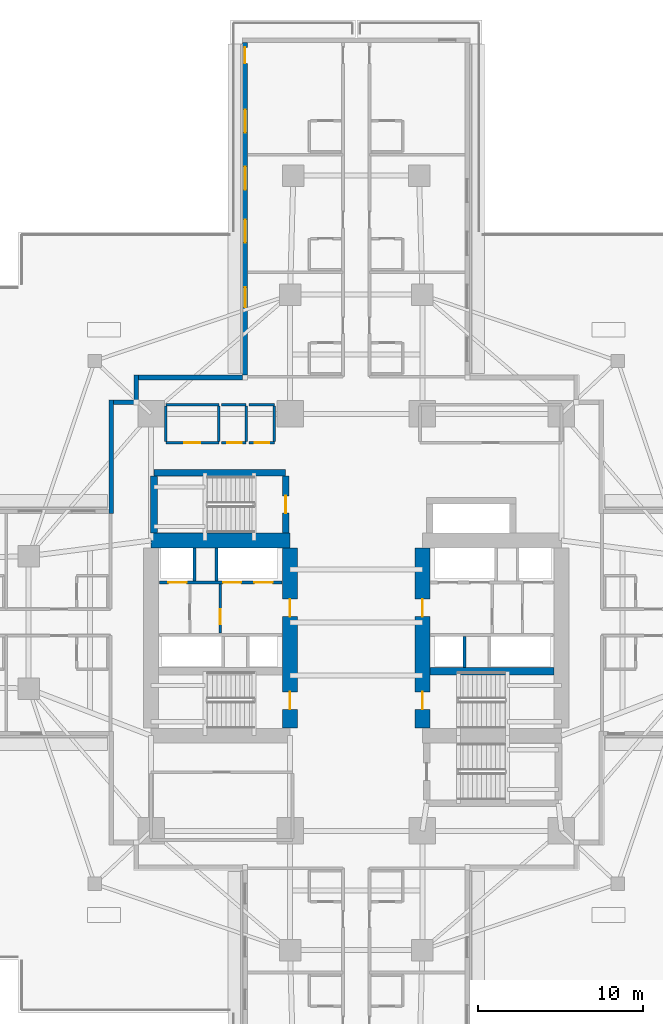
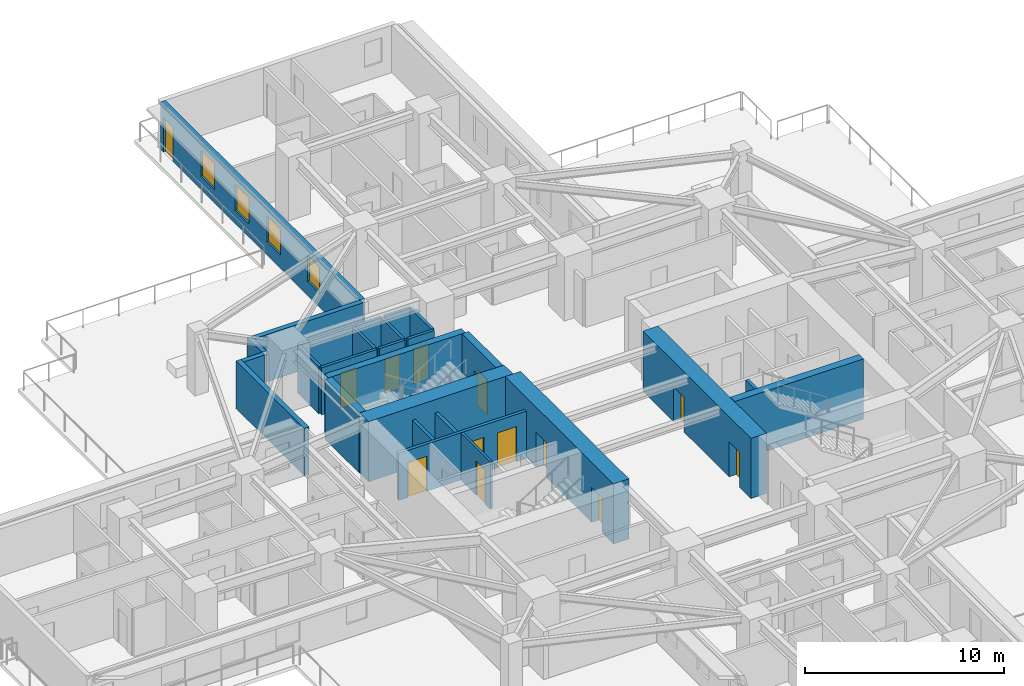
# One storey, part 6 of 15: 27 walls, 13 doors, 4 windows, 17 openings.
"""IFC4 building model written with IfcOpenShell, lengths in metres."""

from ifc_helpers import new_model, si_unit, direction, frame, frame_2d, origin, place, context, subcontext, project, spatial, rectangle, extrude, material, layer, layer_set, type_object, element, fill, save


model = new_model("IFC4")

# Units and contexts
model_context = context("Model", 3, precision=1e-05, world=origin(), true_north=direction((0.0, 1.0)))
body_context = subcontext(model_context, "Body", "Model", "MODEL_VIEW")
ifc_project = project(units=[si_unit("LENGTHUNIT", "METRE"), si_unit("AREAUNIT", "SQUARE_METRE"), si_unit("VOLUMEUNIT", "CUBIC_METRE"), si_unit("PLANEANGLEUNIT", "RADIAN"), si_unit("MASSUNIT", "GRAM", prefix="KILO")], contexts=[model_context])

# Site, building, storey
site_placement = place(None, origin())
site = spatial("IfcSite", under=ifc_project, at=site_placement, CompositionType="ELEMENT")
building_placement = place(site_placement, origin())
building = spatial("IfcBuilding", under=site, at=building_placement, Name="Qingluan Cross Belvedere", CompositionType="ELEMENT")
storey_placement = place(building_placement, frame((0.0, 0.0, 23.699951171875)))
storey = spatial("IfcBuildingStorey", under=building, at=storey_placement, Name="L06", CompositionType="ELEMENT", Elevation=23.699951171875)

# Walls
ifc_material_1 = material(Name="Concrete C50", Category="concrete")
ifc_layer_1 = layer(ifc_material_1, 0.449951171875, Name="CoreShearWall_450")
ifc_layer_set_1 = layer_set([ifc_layer_1], Name="Concrete C50")
wall_type_1 = type_object("IfcWallType", Name="CoreShearWall_450", PredefinedType="SHEAR", material=ifc_layer_set_1)
wall_1_placement = place(storey_placement, frame((4.455078125, -2.9599609375, 0.0), z_axis=(0.0, 0.0, 1.0), x_axis=(1.0, 0.0, 0.0)))
element("IfcWall", 1, at=wall_1_placement, inside=storey, type_object=wall_type_1, Name="Split core E shear wall L06-M", PredefinedType="SHEAR", context=body_context, shape_type="SweptSolid", body=[
    extrude(rectangle(XDim=7.489990234375, YDim=0.449951171875, at=frame_2d((3.7451171875, 0.0))), origin(), (0.0, 0.0, 1.0), 3.699951171875),
])
wall_2_placement = place(storey_placement, frame((-12.219970703125, 9.0400390625, 0.0), z_axis=(0.0, 0.0, 1.0), x_axis=(1.0, 0.0, 0.0)))
element("IfcWall", 2, at=wall_2_placement, inside=storey, type_object=wall_type_1, Name="Stair ST3 structural wall N L06", PredefinedType="SHEAR", context=body_context, shape_type="SweptSolid", body=[
    extrude(rectangle(XDim=7.9599609375, YDim=0.39990234375, at=frame_2d((3.97998046875, 0.0))), origin(), (0.0, 0.0, 1.0), 3.699951171875),
])
wall_3_placement = place(storey_placement, frame((-12.219970703125, 5.405029296875, 0.0), z_axis=(0.0, 0.0, 1.0), x_axis=(0.0, 1.0, 0.0)))
element("IfcWall", 3, at=wall_3_placement, inside=storey, type_object=wall_type_1, Name="Stair ST3 structural wall W L06", PredefinedType="SHEAR", context=body_context, shape_type="SweptSolid", body=[
    extrude(rectangle(XDim=3.429931640625, YDim=0.39990234375, at=frame_2d((1.71484375, 0.0))), origin(), (0.0, 0.0, 1.0), 3.699951171875),
])

# Wall, opening, door
wall_4_placement = place(storey_placement, frame((-4.260009765625, 5.405029296875, 0.0), z_axis=(0.0, 0.0, 1.0), x_axis=(0.0, 1.0, 0.0)))
wall_4 = element("IfcWall", 4, at=wall_4_placement, inside=storey, type_object=wall_type_1, Name="Stair ST3 structural wall E L06", PredefinedType="SHEAR", context=body_context, shape_type="SweptSolid", body=[
    extrude(rectangle(XDim=3.429931640625, YDim=0.39990234375, at=frame_2d((1.71484375, 0.0))), origin(), (0.0, 0.0, 1.0), 3.699951171875),
])
opening_1_placement = place(wall_4_placement, frame((1.195068359375, 0.0, 0.0)))
opening_1 = element("IfcOpeningElement", 5, at=opening_1_placement, cuts=wall_4, Name="Opening FD-B11", PredefinedType="OPENING", context=body_context, shape_type="SweptSolid", body=[
    extrude(rectangle(XDim=1.050048828125, YDim=2.14990234375, at=frame_2d((0.52490234375, 1.074951171875))), frame((0.0, 0.2099609375, 0.0), z_axis=(0.0, -1.0, 0.0), x_axis=(1.0, 0.0, 0.0)), (0.0, 0.0, 1.0), 0.419921875),
])
ifc_material_2 = material(Name="Steel Class B smoke-seal fire door", Category="steel")
door_type_1 = type_object("IfcDoorType", Name="StairLobbyFireDoor_FDB", OperationType="NOTDEFINED", PredefinedType="DOOR", material=ifc_material_2)
door_1_placement = place(opening_1_placement, origin())
door_1 = element("IfcDoor", 6, at=door_1_placement, inside=storey, type_object=door_type_1, Name="Smoke-proof stair ST3 fire door L06", OperationType="SINGLE_SWING_RIGHT", OverallHeight=2.14990234375, OverallWidth=1.050048828125, PredefinedType="DOOR", context=body_context, shape_type="SweptSolid", body=[
    extrude(rectangle(XDim=1.050048828125, YDim=2.14990234375, at=frame_2d((0.52490234375, 1.074951171875))), frame((0.0, 0.02490234375, 0.0), z_axis=(0.0, -1.0, 0.0), x_axis=(1.0, 0.0, 0.0)), (0.0, 0.0, 1.0), 0.050048828125),
])
fill(opening_1, door_1)

# Wall
ifc_material_3 = material(Name="Concrete C70", Category="concrete")
ifc_layer_2 = layer(ifc_material_3, 0.89990234375, Name="CoreShearWall_900")
ifc_layer_set_2 = layer_set([ifc_layer_2], Name="Concrete C70")
wall_type_2 = type_object("IfcWallType", Name="CoreShearWall_900", PredefinedType="SHEAR", material=ifc_layer_set_2)
wall_5_placement = place(storey_placement, frame((-12.39990234375, 4.949951171875, 0.0), z_axis=(0.0, 0.0, 1.0), x_axis=(1.0, 0.0, 0.0)))
element("IfcWall", 7, at=wall_5_placement, inside=storey, type_object=wall_type_2, Name="Split core W shear wall L06-N", PredefinedType="SHEAR", context=body_context, shape_type="SweptSolid", body=[
    extrude(rectangle(XDim=8.39990234375, YDim=0.89990234375, at=frame_2d((4.199951171875, 0.0))), origin(), (0.0, 0.0, 1.0), 3.699951171875),
])

# Wall, openings, doors
wall_6_placement = place(storey_placement, frame((-4.0, -6.39501953125, 0.0), z_axis=(0.0, 0.0, 1.0), x_axis=(0.0, 1.0, 0.0)))
wall_6 = element("IfcWall", 8, at=wall_6_placement, inside=storey, type_object=wall_type_2, Name="Split core W shear wall L06-E", PredefinedType="SHEAR", context=body_context, shape_type="SweptSolid", body=[
    extrude(rectangle(XDim=10.89013671875, YDim=0.89990234375, at=frame_2d((5.445068359375, 0.0))), origin(), (0.0, 0.0, 1.0), 3.699951171875),
])
opening_2_placement = place(wall_6_placement, frame((1.14501953125, 0.0, 0.0)))
opening_2 = element("IfcOpeningElement", 9, at=opening_2_placement, cuts=wall_6, Name="Opening FD-B11", PredefinedType="OPENING", context=body_context, shape_type="SweptSolid", body=[
    extrude(rectangle(XDim=1.050048828125, YDim=2.14990234375, at=frame_2d((0.52490234375, 1.074951171875))), frame((0.0, 0.4599609375, 0.0), z_axis=(0.0, -1.0, 0.0), x_axis=(1.0, 0.0, 0.0)), (0.0, 0.0, 1.0), 0.919921875),
])
opening_3_placement = place(wall_6_placement, frame((6.7451171875, 0.0, 0.0)))
opening_3 = element("IfcOpeningElement", 10, at=opening_3_placement, cuts=wall_6, Name="Opening FD-B11", PredefinedType="OPENING", context=body_context, shape_type="SweptSolid", body=[
    extrude(rectangle(XDim=1.050048828125, YDim=2.14990234375, at=frame_2d((0.52490234375, 1.074951171875))), frame((0.0, 0.4599609375, 0.0), z_axis=(0.0, -1.0, 0.0), x_axis=(1.0, 0.0, 0.0)), (0.0, 0.0, 1.0), 0.919921875),
])
door_2_placement = place(opening_2_placement, origin())
door_2 = element("IfcDoor", 11, at=door_2_placement, inside=storey, type_object=door_type_1, Name="Smoke-proof stair ST1 fire door L06", OperationType="SINGLE_SWING_RIGHT", OverallHeight=2.14990234375, OverallWidth=1.050048828125, PredefinedType="DOOR", context=body_context, shape_type="SweptSolid", body=[
    extrude(rectangle(XDim=1.050048828125, YDim=2.14990234375, at=frame_2d((0.52490234375, 1.074951171875))), frame((0.0, 0.02490234375, 0.0), z_axis=(0.0, -1.0, 0.0), x_axis=(1.0, 0.0, 0.0)), (0.0, 0.0, 1.0), 0.050048828125),
])
fill(opening_2, door_2)
door_3_placement = place(opening_3_placement, origin())
door_3 = element("IfcDoor", 12, at=door_3_placement, inside=storey, type_object=door_type_1, Name="Firefighting lobby West fire door L06", OperationType="SINGLE_SWING_RIGHT", OverallHeight=2.14990234375, OverallWidth=1.050048828125, PredefinedType="DOOR", context=body_context, shape_type="SweptSolid", body=[
    extrude(rectangle(XDim=1.050048828125, YDim=2.14990234375, at=frame_2d((0.52490234375, 1.074951171875))), frame((0.0, 0.02490234375, 0.0), z_axis=(0.0, -1.0, 0.0), x_axis=(1.0, 0.0, 0.0)), (0.0, 0.0, 1.0), 0.050048828125),
])
fill(opening_3, door_3)

wall_7_placement = place(storey_placement, frame((4.0, -6.39501953125, 0.0), z_axis=(0.0, 0.0, 1.0), x_axis=(0.0, 1.0, 0.0)))
wall_7 = element("IfcWall", 13, at=wall_7_placement, inside=storey, type_object=wall_type_2, Name="Split core E shear wall L06-W", PredefinedType="SHEAR", context=body_context, shape_type="SweptSolid", body=[
    extrude(rectangle(XDim=10.89013671875, YDim=0.89990234375, at=frame_2d((5.445068359375, 0.0))), origin(), (0.0, 0.0, 1.0), 3.699951171875),
])
opening_4_placement = place(wall_7_placement, frame((1.14501953125, 0.0, 0.0)))
opening_4 = element("IfcOpeningElement", 14, at=opening_4_placement, cuts=wall_7, Name="Opening FD-B11", PredefinedType="OPENING", context=body_context, shape_type="SweptSolid", body=[
    extrude(rectangle(XDim=1.050048828125, YDim=2.14990234375, at=frame_2d((0.52490234375, 1.074951171875))), frame((0.0, 0.4599609375, 0.0), z_axis=(0.0, -1.0, 0.0), x_axis=(1.0, 0.0, 0.0)), (0.0, 0.0, 1.0), 0.919921875),
])
opening_5_placement = place(wall_7_placement, frame((6.7451171875, 0.0, 0.0)))
opening_5 = element("IfcOpeningElement", 15, at=opening_5_placement, cuts=wall_7, Name="Opening FD-B11", PredefinedType="OPENING", context=body_context, shape_type="SweptSolid", body=[
    extrude(rectangle(XDim=1.050048828125, YDim=2.14990234375, at=frame_2d((0.52490234375, 1.074951171875))), frame((0.0, 0.4599609375, 0.0), z_axis=(0.0, -1.0, 0.0), x_axis=(1.0, 0.0, 0.0)), (0.0, 0.0, 1.0), 0.919921875),
])
door_4_placement = place(opening_4_placement, origin())
door_4 = element("IfcDoor", 16, at=door_4_placement, inside=storey, type_object=door_type_1, Name="Smoke-proof stair ST2 fire door L06", OperationType="SINGLE_SWING_LEFT", OverallHeight=2.14990234375, OverallWidth=1.050048828125, PredefinedType="DOOR", context=body_context, shape_type="SweptSolid", body=[
    extrude(rectangle(XDim=1.050048828125, YDim=2.14990234375, at=frame_2d((0.52490234375, 1.074951171875))), frame((0.0, 0.02490234375, 0.0), z_axis=(0.0, -1.0, 0.0), x_axis=(1.0, 0.0, 0.0)), (0.0, 0.0, 1.0), 0.050048828125),
])
fill(opening_4, door_4)
door_5_placement = place(opening_5_placement, origin())
door_5 = element("IfcDoor", 17, at=door_5_placement, inside=storey, type_object=door_type_1, Name="Firefighting lobby East fire door L06", OperationType="SINGLE_SWING_LEFT", OverallHeight=2.14990234375, OverallWidth=1.050048828125, PredefinedType="DOOR", context=body_context, shape_type="SweptSolid", body=[
    extrude(rectangle(XDim=1.050048828125, YDim=2.14990234375, at=frame_2d((0.52490234375, 1.074951171875))), frame((0.0, 0.02490234375, 0.0), z_axis=(0.0, -1.0, 0.0), x_axis=(1.0, 0.0, 0.0)), (0.0, 0.0, 1.0), 0.050048828125),
])
fill(opening_5, door_5)

# Wall, opening, door
ifc_material_4 = material(Name="Gypsum plasterboard on steel stud acoustic partition", Category="steel")
ifc_layer_3 = layer(ifc_material_4, 0.159912109375, Name="CorridorPartition_160")
ifc_layer_set_3 = layer_set([ifc_layer_3], Name="Gypsum plasterboard on steel stud acoustic partition")
wall_type_3 = type_object("IfcWallType", Name="CorridorPartition_160", PredefinedType="PARTITIONING", material=ifc_layer_set_3)
wall_8_placement = place(storey_placement, frame((-11.5, 10.85009765625, 0.0), z_axis=(0.0, 0.0, 1.0), x_axis=(1.0, 0.0, 0.0)))
wall_8 = element("IfcWall", 18, at=wall_8_placement, inside=storey, type_object=wall_type_3, Name="Partition L06:q_nw_occ:S", PredefinedType="PARTITIONING", context=body_context, shape_type="SweptSolid", body=[
    extrude(rectangle(XDim=3.199951171875, YDim=0.159912109375, at=frame_2d((1.60009765625, 0.0))), origin(), (0.0, 0.0, 1.0), 2.900146484375),
])
opening_6_placement = place(wall_8_placement, frame((1.1201171875, 0.0, 0.0)))
opening_6 = element("IfcOpeningElement", 19, at=opening_6_placement, cuts=wall_8, Name="Opening GD-10", PredefinedType="OPENING", context=body_context, shape_type="SweptSolid", body=[
    extrude(rectangle(XDim=0.9599609375, YDim=2.14990234375, at=frame_2d((0.47998046875, 1.074951171875))), frame((0.0, 0.08984375, 0.0), z_axis=(0.0, -1.0, 0.0), x_axis=(1.0, 0.0, 0.0)), (0.0, 0.0, 1.0), 0.179931640625),
])
ifc_material_5 = material(Name="Timber oak fire-rated acoustic guestroom door", Category="wood")
door_type_2 = type_object("IfcDoorType", Name="GuestEntryDoor_FD60", OperationType="NOTDEFINED", PredefinedType="DOOR", material=ifc_material_5)
door_6_placement = place(opening_6_placement, origin())
door_6 = element("IfcDoor", 20, at=door_6_placement, inside=storey, type_object=door_type_2, Name="Northwest corner reading salon L06 door", OperationType="SINGLE_SWING_RIGHT", OverallHeight=2.14990234375, OverallWidth=0.9599609375, PredefinedType="DOOR", context=body_context, shape_type="SweptSolid", body=[
    extrude(rectangle(XDim=0.9599609375, YDim=2.14990234375, at=frame_2d((0.47998046875, 1.074951171875))), frame((0.0, 0.02490234375, 0.0), z_axis=(0.0, -1.0, 0.0), x_axis=(1.0, 0.0, 0.0)), (0.0, 0.0, 1.0), 0.050048828125),
])
fill(opening_6, door_6)

# Walls
wall_9_placement = place(storey_placement, frame((-11.5, 13.14990234375, 0.0), z_axis=(0.0, 0.0, 1.0), x_axis=(1.0, 0.0, 0.0)))
element("IfcWall", 21, at=wall_9_placement, inside=storey, type_object=wall_type_3, Name="Partition L06:q_nw_occ:N", PredefinedType="PARTITIONING", context=body_context, shape_type="SweptSolid", body=[
    extrude(rectangle(XDim=3.199951171875, YDim=0.159912109375, at=frame_2d((1.60009765625, 0.0))), origin(), (0.0, 0.0, 1.0), 2.900146484375),
])
for number, where, z_axis, x_axis, name in (
    (22, (-11.5, 10.93505859375, 0.0), (0.0, 0.0, 1.0), (0.0, 1.0, 0.0), "Partition L06:q_nw_occ:W"),
    (23, (-8.300048828125, 10.93505859375, 0.0), (0.0, 0.0, 1.0), (0.0, 1.0, 0.0), "Partition L06:q_nw_occ:E"),
):
    element("IfcWall", number, at=place(storey_placement, frame(where, z_axis=z_axis, x_axis=x_axis)), inside=storey, type_object=wall_type_3, Name=name, PredefinedType="PARTITIONING", context=body_context, shape_type="SweptSolid", body=[
        extrude(rectangle(XDim=2.1298828125, YDim=0.159912109375, at=frame_2d((1.06494140625, 0.0))), origin(), (0.0, 0.0, 1.0), 2.900146484375),
    ])

# Wall, opening, door
wall_10_placement = place(storey_placement, frame((-8.139892578125, 10.85009765625, 0.0), z_axis=(0.0, 0.0, 1.0), x_axis=(1.0, 0.0, 0.0)))
wall_10 = element("IfcWall", 24, at=wall_10_placement, inside=storey, type_object=wall_type_3, Name="Partition L06:hk_linen:S", PredefinedType="PARTITIONING", context=body_context, shape_type="SweptSolid", body=[
    extrude(rectangle(XDim=1.489990234375, YDim=0.159912109375, at=frame_2d((0.7451171875, 0.0))), origin(), (0.0, 0.0, 1.0), 2.900146484375),
])
opening_7_placement = place(wall_10_placement, frame((0.35009765625, 0.0, 0.0)))
opening_7 = element("IfcOpeningElement", 25, at=opening_7_placement, cuts=wall_10, Name="Opening FD-B10", PredefinedType="OPENING", context=body_context, shape_type="SweptSolid", body=[
    extrude(rectangle(XDim=0.8798828125, YDim=2.10009765625, at=frame_2d((0.43994140625, 1.050048828125))), frame((0.0, 0.08984375, 0.0), z_axis=(0.0, -1.0, 0.0), x_axis=(1.0, 0.0, 0.0)), (0.0, 0.0, 1.0), 0.179931640625),
])
ifc_material_6 = material(Name="Steel Class B service fire door", Category="steel")
door_type_3 = type_object("IfcDoorType", Name="RiserServiceFireDoor_FDB", OperationType="NOTDEFINED", PredefinedType="DOOR", material=ifc_material_6)
door_7_placement = place(opening_7_placement, origin())
door_7 = element("IfcDoor", 26, at=door_7_placement, inside=storey, type_object=door_type_3, Name="Housekeeping and linen store L06 door", OperationType="SINGLE_SWING_LEFT", OverallHeight=2.10009765625, OverallWidth=0.8798828125, PredefinedType="DOOR", context=body_context, shape_type="SweptSolid", body=[
    extrude(rectangle(XDim=0.8798828125, YDim=2.10009765625, at=frame_2d((0.43994140625, 1.050048828125))), frame((0.0, 0.02490234375, 0.0), z_axis=(0.0, -1.0, 0.0), x_axis=(1.0, 0.0, 0.0)), (0.0, 0.0, 1.0), 0.050048828125),
])
fill(opening_7, door_7)

# Walls
wall_11_placement = place(storey_placement, frame((-8.139892578125, 13.14990234375, 0.0), z_axis=(0.0, 0.0, 1.0), x_axis=(1.0, 0.0, 0.0)))
element("IfcWall", 27, at=wall_11_placement, inside=storey, type_object=wall_type_3, Name="Partition L06:hk_linen:N", PredefinedType="PARTITIONING", context=body_context, shape_type="SweptSolid", body=[
    extrude(rectangle(XDim=1.489990234375, YDim=0.159912109375, at=frame_2d((0.7451171875, 0.0))), origin(), (0.0, 0.0, 1.0), 2.900146484375),
])
wall_12_placement = place(storey_placement, frame((-6.64990234375, 10.93505859375, 0.0), z_axis=(0.0, 0.0, 1.0), x_axis=(0.0, 1.0, 0.0)))
element("IfcWall", 28, at=wall_12_placement, inside=storey, type_object=wall_type_3, Name="Partition L06:hk_linen:E", PredefinedType="PARTITIONING", context=body_context, shape_type="SweptSolid", body=[
    extrude(rectangle(XDim=2.1298828125, YDim=0.159912109375, at=frame_2d((1.06494140625, 0.0))), origin(), (0.0, 0.0, 1.0), 2.900146484375),
])

# Wall, opening, door
wall_13_placement = place(storey_placement, frame((-6.489990234375, 10.85009765625, 0.0), z_axis=(0.0, 0.0, 1.0), x_axis=(1.0, 0.0, 0.0)))
wall_13 = element("IfcWall", 29, at=wall_13_placement, inside=storey, type_object=wall_type_3, Name="Partition L06:floor_acc_wc:S", PredefinedType="PARTITIONING", context=body_context, shape_type="SweptSolid", body=[
    extrude(rectangle(XDim=1.5400390625, YDim=0.159912109375, at=frame_2d((0.77001953125, 0.0))), origin(), (0.0, 0.0, 1.0), 2.900146484375),
])
opening_8_placement = place(wall_13_placement, frame((0.35009765625, 0.0, 0.0)))
opening_8 = element("IfcOpeningElement", 30, at=opening_8_placement, cuts=wall_13, Name="Opening BD-08", PredefinedType="OPENING", context=body_context, shape_type="SweptSolid", body=[
    extrude(rectangle(XDim=0.8798828125, YDim=2.14990234375, at=frame_2d((0.43994140625, 1.074951171875))), frame((0.0, 0.08984375, 0.0), z_axis=(0.0, -1.0, 0.0), x_axis=(1.0, 0.0, 0.0)), (0.0, 0.0, 1.0), 0.179931640625),
])
ifc_material_7 = material(Name="Moisture-sealed timber accessible WC door", Category="wood")
door_type_4 = type_object("IfcDoorType", Name="AccessibleWCDoor_880", OperationType="NOTDEFINED", PredefinedType="DOOR", material=ifc_material_7)
door_8_placement = place(opening_8_placement, origin())
door_8 = element("IfcDoor", 31, at=door_8_placement, inside=storey, type_object=door_type_4, Name="Accessible guest washroom L06 door", OperationType="SINGLE_SWING_RIGHT", OverallHeight=2.14990234375, OverallWidth=0.8798828125, PredefinedType="DOOR", context=body_context, shape_type="SweptSolid", body=[
    extrude(rectangle(XDim=0.8798828125, YDim=2.14990234375, at=frame_2d((0.43994140625, 1.074951171875))), frame((0.0, 0.02490234375, 0.0), z_axis=(0.0, -1.0, 0.0), x_axis=(1.0, 0.0, 0.0)), (0.0, 0.0, 1.0), 0.050048828125),
])
fill(opening_8, door_8)

# Walls
wall_14_placement = place(storey_placement, frame((-6.489990234375, 13.14990234375, 0.0), z_axis=(0.0, 0.0, 1.0), x_axis=(1.0, 0.0, 0.0)))
element("IfcWall", 32, at=wall_14_placement, inside=storey, type_object=wall_type_3, Name="Partition L06:floor_acc_wc:N", PredefinedType="PARTITIONING", context=body_context, shape_type="SweptSolid", body=[
    extrude(rectangle(XDim=1.5400390625, YDim=0.159912109375, at=frame_2d((0.77001953125, 0.0))), origin(), (0.0, 0.0, 1.0), 2.900146484375),
])
wall_15_placement = place(storey_placement, frame((-4.949951171875, 10.93505859375, 0.0), z_axis=(0.0, 0.0, 1.0), x_axis=(0.0, 1.0, 0.0)))
element("IfcWall", 33, at=wall_15_placement, inside=storey, type_object=wall_type_3, Name="Partition L06:floor_acc_wc:E", PredefinedType="PARTITIONING", context=body_context, shape_type="SweptSolid", body=[
    extrude(rectangle(XDim=2.1298828125, YDim=0.159912109375, at=frame_2d((1.06494140625, 0.0))), origin(), (0.0, 0.0, 1.0), 2.900146484375),
])

# Wall, openings, door, windows
ifc_material_8 = material(Name="Precast concrete C45", Category="concrete")
ifc_layer_4 = layer(ifc_material_8, 0.280029296875, Name="PrecastFacadeWall_280")
ifc_layer_set_4 = layer_set([ifc_layer_4], Name="Precast concrete C45")
wall_type_4 = type_object("IfcWallType", Name="PrecastFacadeWall_280", PredefinedType="STANDARD", material=ifc_layer_set_4)
wall_16_placement = place(storey_placement, frame((-6.719970703125, 35.0400390625, 0.0), z_axis=(0.0, 0.0, 1.0), x_axis=(0.0, -1.0, 0.0)))
wall_16 = element("IfcWall", 34, at=wall_16_placement, inside=storey, type_object=wall_type_4, Name="Facade wall L06-NB", PredefinedType="STANDARD", context=body_context, shape_type="SweptSolid", body=[
    extrude(rectangle(XDim=20.10009765625, YDim=0.280029296875, at=frame_2d((10.050048828125, 0.0))), origin(), (0.0, 0.0, 1.0), 2.91015625),
])
opening_9_placement = place(wall_16_placement, frame((4.050048828125, 0.0, 0.800048828125)))
opening_9 = element("IfcOpeningElement", 35, at=opening_9_placement, cuts=wall_16, Name="Opening W-01", PredefinedType="OPENING", context=body_context, shape_type="SweptSolid", body=[
    extrude(rectangle(XDim=1.39990234375, YDim=1.60009765625, at=frame_2d((0.699951171875, 0.800048828125))), frame((0.0, 0.14990234375, 0.0), z_axis=(0.0, -1.0, 0.0), x_axis=(1.0, 0.0, 0.0)), (0.0, 0.0, 1.0), 0.300048828125),
])
opening_10_placement = place(wall_16_placement, frame((7.5, 0.0, 0.800048828125)))
opening_10 = element("IfcOpeningElement", 36, at=opening_10_placement, cuts=wall_16, Name="Opening W-01", PredefinedType="OPENING", context=body_context, shape_type="SweptSolid", body=[
    extrude(rectangle(XDim=1.39990234375, YDim=1.60009765625, at=frame_2d((0.699951171875, 0.800048828125))), frame((0.0, 0.14990234375, 0.0), z_axis=(0.0, -1.0, 0.0), x_axis=(1.0, 0.0, 0.0)), (0.0, 0.0, 1.0), 0.300048828125),
])
opening_11_placement = place(wall_16_placement, frame((10.699951171875, 0.0, 0.800048828125)))
opening_11 = element("IfcOpeningElement", 37, at=opening_11_placement, cuts=wall_16, Name="Opening W-01", PredefinedType="OPENING", context=body_context, shape_type="SweptSolid", body=[
    extrude(rectangle(XDim=1.39990234375, YDim=1.60009765625, at=frame_2d((0.699951171875, 0.800048828125))), frame((0.0, 0.14990234375, 0.0), z_axis=(0.0, -1.0, 0.0), x_axis=(1.0, 0.0, 0.0)), (0.0, 0.0, 1.0), 0.300048828125),
])
opening_12_placement = place(wall_16_placement, frame((0.300048828125, 0.0, 0.0)))
opening_12 = element("IfcOpeningElement", 38, at=opening_12_placement, cuts=wall_16, Name="Opening TD-10", PredefinedType="OPENING", context=body_context, shape_type="SweptSolid", body=[
    extrude(rectangle(XDim=0.9599609375, YDim=2.10009765625, at=frame_2d((0.47998046875, 1.050048828125))), frame((0.0, 0.14990234375, 0.0), z_axis=(0.0, -1.0, 0.0), x_axis=(1.0, 0.0, 0.0)), (0.0, 0.0, 1.0), 0.300048828125),
])
opening_13_placement = place(wall_16_placement, frame((14.799072265625, 0.0, 0.85009765625)))
opening_13 = element("IfcOpeningElement", 39, at=opening_13_placement, cuts=wall_16, Name="Opening W-02", PredefinedType="OPENING", context=body_context, shape_type="SweptSolid", body=[
    extrude(rectangle(XDim=1.199951171875, YDim=1.60009765625, at=frame_2d((0.60009765625, 0.800048828125))), frame((0.0, 0.14990234375, 0.0), z_axis=(0.0, -1.0, 0.0), x_axis=(1.0, 0.0, 0.0)), (0.0, 0.0, 1.0), 0.300048828125),
])
ifc_material_9 = material(Name="Thermally broken aluminium and Low-E glass", Category="aluminium")
door_type_5 = type_object("IfcDoorType", Name="SetbackTerraceDoor_096", OperationType="NOTDEFINED", PredefinedType="DOOR", material=ifc_material_9)
door_9_placement = place(opening_12_placement, origin())
door_9 = element("IfcDoor", 40, at=door_9_placement, inside=storey, type_object=door_type_5, Name="Outdoor terrace access door L06-cas2", OperationType="SINGLE_SWING_LEFT", OverallHeight=2.10009765625, OverallWidth=0.9599609375, PredefinedType="DOOR", context=body_context, shape_type="SweptSolid", body=[
    extrude(rectangle(XDim=0.9599609375, YDim=2.10009765625, at=frame_2d((0.47998046875, 1.050048828125))), frame((0.0, 0.02490234375, 0.0), z_axis=(0.0, -1.0, 0.0), x_axis=(1.0, 0.0, 0.0)), (0.0, 0.0, 1.0), 0.050048828125),
])
fill(opening_12, door_9)
ifc_material_10 = material(Name="Thermally broken triple Low-E glass in aluminium frame", Category="aluminium")
window_type_1 = type_object("IfcWindowType", Name="TriRibbonWin_1200x1600", PartitioningType="SINGLE_PANEL", PredefinedType="WINDOW", material=ifc_material_10)
window_1_placement = place(opening_13_placement, origin())
window_1 = element("IfcWindow", 41, at=window_1_placement, inside=storey, type_object=window_type_1, Name="Deluxe guest room 0616 daylight window", OverallHeight=1.60009765625, OverallWidth=1.199951171875, PartitioningType="SINGLE_PANEL", PredefinedType="WINDOW", context=body_context, shape_type="SweptSolid", body=[
    extrude(rectangle(XDim=1.199951171875, YDim=1.60009765625, at=frame_2d((0.60009765625, 0.800048828125))), frame((0.0, 0.030029296875, 0.0), z_axis=(0.0, -1.0, 0.0), x_axis=(1.0, 0.0, 0.0)), (0.0, 0.0, 1.0), 0.06005859375),
])
fill(opening_13, window_1)
ifc_material_11 = material(Name="Thermally broken triple Low-E glass in aluminium frame", Category="aluminium")
window_type_2 = type_object("IfcWindowType", Name="TriRibbonWin_1400x1600", PartitioningType="SINGLE_PANEL", PredefinedType="WINDOW", material=ifc_material_11)
window_2_placement = place(opening_9_placement, origin())
window_2 = element("IfcWindow", 42, at=window_2_placement, inside=storey, type_object=window_type_2, Name="Ribbon window L06-NB-2", OverallHeight=1.60009765625, OverallWidth=1.39990234375, PartitioningType="SINGLE_PANEL", PredefinedType="WINDOW", context=body_context, shape_type="SweptSolid", body=[
    extrude(rectangle(XDim=1.39990234375, YDim=1.60009765625, at=frame_2d((0.699951171875, 0.800048828125))), frame((0.0, 0.030029296875, 0.0), z_axis=(0.0, -1.0, 0.0), x_axis=(1.0, 0.0, 0.0)), (0.0, 0.0, 1.0), 0.06005859375),
])
fill(opening_9, window_2)
window_3_placement = place(opening_10_placement, origin())
window_3 = element("IfcWindow", 43, at=window_3_placement, inside=storey, type_object=window_type_2, Name="Ribbon window L06-NB-3", OverallHeight=1.60009765625, OverallWidth=1.39990234375, PartitioningType="SINGLE_PANEL", PredefinedType="WINDOW", context=body_context, shape_type="SweptSolid", body=[
    extrude(rectangle(XDim=1.39990234375, YDim=1.60009765625, at=frame_2d((0.699951171875, 0.800048828125))), frame((0.0, 0.030029296875, 0.0), z_axis=(0.0, -1.0, 0.0), x_axis=(1.0, 0.0, 0.0)), (0.0, 0.0, 1.0), 0.06005859375),
])
fill(opening_10, window_3)
window_4_placement = place(opening_11_placement, origin())
window_4 = element("IfcWindow", 44, at=window_4_placement, inside=storey, type_object=window_type_2, Name="Ribbon window L06-NB-4", OverallHeight=1.60009765625, OverallWidth=1.39990234375, PartitioningType="SINGLE_PANEL", PredefinedType="WINDOW", context=body_context, shape_type="SweptSolid", body=[
    extrude(rectangle(XDim=1.39990234375, YDim=1.60009765625, at=frame_2d((0.699951171875, 0.800048828125))), frame((0.0, 0.030029296875, 0.0), z_axis=(0.0, -1.0, 0.0), x_axis=(1.0, 0.0, 0.0)), (0.0, 0.0, 1.0), 0.06005859375),
])
fill(opening_11, window_4)

# Walls
wall_17_placement = place(storey_placement, frame((-14.800048828125, 6.580078125, 0.0), z_axis=(0.0, 0.0, 1.0), x_axis=(0.0, 1.0, 0.0)))
element("IfcWall", 45, at=wall_17_placement, inside=storey, type_object=wall_type_4, Name="Corner wall L06-NW1", PredefinedType="STANDARD", context=body_context, shape_type="SweptSolid", body=[
    extrude(rectangle(XDim=6.85986328125, YDim=0.280029296875, at=frame_2d((3.429931640625, 0.0))), origin(), (0.0, 0.0, 1.0), 2.91015625),
])
wall_18_placement = place(storey_placement, frame((-14.659912109375, 13.300048828125, 0.0), z_axis=(0.0, 0.0, 1.0), x_axis=(1.0, 0.0, 0.0)))
element("IfcWall", 46, at=wall_18_placement, inside=storey, type_object=wall_type_4, Name="Corner wall L06-NW2", PredefinedType="STANDARD", context=body_context, shape_type="SweptSolid", body=[
    extrude(rectangle(XDim=1.219970703125, YDim=0.280029296875, at=frame_2d((0.60986328125, 0.0))), origin(), (0.0, 0.0, 1.0), 2.91015625),
])
wall_19_placement = place(storey_placement, frame((-13.300048828125, 13.43994140625, 0.0), z_axis=(0.0, 0.0, 1.0), x_axis=(0.0, 1.0, 0.0)))
element("IfcWall", 47, at=wall_19_placement, inside=storey, type_object=wall_type_4, Name="Corner wall L06-NW3", PredefinedType="STANDARD", context=body_context, shape_type="SweptSolid", body=[
    extrude(rectangle(XDim=1.5, YDim=0.280029296875, at=frame_2d((0.75, 0.0))), origin(), (0.0, 0.0, 1.0), 2.91015625),
])
wall_20_placement = place(storey_placement, frame((-13.159912109375, 14.800048828125, 0.0), z_axis=(0.0, 0.0, 1.0), x_axis=(1.0, 0.0, 0.0)))
element("IfcWall", 48, at=wall_20_placement, inside=storey, type_object=wall_type_4, Name="Corner wall L06-NW4", PredefinedType="STANDARD", context=body_context, shape_type="SweptSolid", body=[
    extrude(rectangle(XDim=6.2998046875, YDim=0.280029296875, at=frame_2d((3.14990234375, 0.0))), origin(), (0.0, 0.0, 1.0), 2.91015625),
])

# Wall, openings, doors
ifc_material_12 = material(Name="Concrete C40", Category="concrete")
ifc_layer_5 = layer(ifc_material_12, 0.219970703125, Name="ShaftEnclosureWall_250")
ifc_layer_set_5 = layer_set([ifc_layer_5], Name="Concrete C40")
wall_type_5 = type_object("IfcWallType", Name="ShaftEnclosureWall_250", PredefinedType="SOLIDWALL", material=ifc_layer_set_5)
wall_21_placement = place(storey_placement, frame((-11.89990234375, 2.409912109375, 0.0), z_axis=(0.0, 0.0, 1.0), x_axis=(1.0, 0.0, 0.0)))
wall_21 = element("IfcWall", 49, at=wall_21_placement, inside=storey, type_object=wall_type_5, Name="Core-W north hoistway wall L06", PredefinedType="SOLIDWALL", context=body_context, shape_type="SweptSolid", body=[
    extrude(rectangle(XDim=7.419921875, YDim=0.179931640625, at=frame_2d((3.7099609375, 0.0))), origin(), (0.0, 0.0, 1.0), 2.900146484375),
])
opening_14_placement = place(wall_21_placement, frame((0.550048828125, 0.0, 0.0)))
opening_14 = element("IfcOpeningElement", 50, at=opening_14_placement, cuts=wall_21, Name="Opening LD-11", PredefinedType="OPENING", context=body_context, shape_type="SweptSolid", body=[
    extrude(rectangle(XDim=1.10009765625, YDim=2.14990234375, at=frame_2d((0.550048828125, 1.074951171875))), frame((0.0, 0.099853515625, 0.0), z_axis=(0.0, -1.0, 0.0), x_axis=(1.0, 0.0, 0.0)), (0.0, 0.0, 1.0), 0.199951171875),
])
opening_15_placement = place(wall_21_placement, frame((3.85009765625, 0.0, 0.0)))
opening_15 = element("IfcOpeningElement", 51, at=opening_15_placement, cuts=wall_21, Name="Opening LD-11", PredefinedType="OPENING", context=body_context, shape_type="SweptSolid", body=[
    extrude(rectangle(XDim=1.10009765625, YDim=2.14990234375, at=frame_2d((0.550048828125, 1.074951171875))), frame((0.0, 0.099853515625, 0.0), z_axis=(0.0, -1.0, 0.0), x_axis=(1.0, 0.0, 0.0)), (0.0, 0.0, 1.0), 0.199951171875),
])
opening_16_placement = place(wall_21_placement, frame((5.75, 0.0, 0.0)))
opening_16 = element("IfcOpeningElement", 52, at=opening_16_placement, cuts=wall_21, Name="Opening LD-11", PredefinedType="OPENING", context=body_context, shape_type="SweptSolid", body=[
    extrude(rectangle(XDim=1.10009765625, YDim=2.14990234375, at=frame_2d((0.550048828125, 1.074951171875))), frame((0.0, 0.099853515625, 0.0), z_axis=(0.0, -1.0, 0.0), x_axis=(1.0, 0.0, 0.0)), (0.0, 0.0, 1.0), 0.199951171875),
])
ifc_material_13 = material(Name="Brushed stainless steel centre-opening lift landing door", Category="steel")
door_type_6 = type_object("IfcDoorType", Name="LiftLandingSlidingDoor_1100", OperationType="DOUBLE_DOOR_SLIDING", PredefinedType="DOOR", material=ifc_material_13)
door_10_placement = place(opening_14_placement, origin())
door_10 = element("IfcDoor", 53, at=door_10_placement, inside=storey, type_object=door_type_6, Name="Lift landing sliding door FL1 L06", OperationType="DOUBLE_DOOR_SLIDING", OverallHeight=2.14990234375, OverallWidth=1.10009765625, PredefinedType="DOOR", context=body_context, shape_type="SweptSolid", body=[
    extrude(rectangle(XDim=1.10009765625, YDim=2.14990234375, at=frame_2d((0.550048828125, 1.074951171875))), frame((0.0, 0.02490234375, 0.0), z_axis=(0.0, -1.0, 0.0), x_axis=(1.0, 0.0, 0.0)), (0.0, 0.0, 1.0), 0.050048828125),
])
fill(opening_14, door_10)
door_11_placement = place(opening_15_placement, origin())
door_11 = element("IfcDoor", 54, at=door_11_placement, inside=storey, type_object=door_type_6, Name="Lift landing sliding door LP1 L06", OperationType="DOUBLE_DOOR_SLIDING", OverallHeight=2.14990234375, OverallWidth=1.10009765625, PredefinedType="DOOR", context=body_context, shape_type="SweptSolid", body=[
    extrude(rectangle(XDim=1.10009765625, YDim=2.14990234375, at=frame_2d((0.550048828125, 1.074951171875))), frame((0.0, 0.02490234375, 0.0), z_axis=(0.0, -1.0, 0.0), x_axis=(1.0, 0.0, 0.0)), (0.0, 0.0, 1.0), 0.050048828125),
])
fill(opening_15, door_11)
door_12_placement = place(opening_16_placement, origin())
door_12 = element("IfcDoor", 55, at=door_12_placement, inside=storey, type_object=door_type_6, Name="Lift landing sliding door LP2 L06", OperationType="DOUBLE_DOOR_SLIDING", OverallHeight=2.14990234375, OverallWidth=1.10009765625, PredefinedType="DOOR", context=body_context, shape_type="SweptSolid", body=[
    extrude(rectangle(XDim=1.10009765625, YDim=2.14990234375, at=frame_2d((0.550048828125, 1.074951171875))), frame((0.0, 0.02490234375, 0.0), z_axis=(0.0, -1.0, 0.0), x_axis=(1.0, 0.0, 0.0)), (0.0, 0.0, 1.0), 0.050048828125),
])
fill(opening_16, door_12)

# Walls
for number, where, z_axis, x_axis, name in (
    (56, (-9.760009765625, 2.5, 0.0), (0.0, 0.0, 1.0), (0.0, 1.0, 0.0), "Hoistway enclosure divider FL1E L06"),
    (57, (-8.43994140625, 2.5, 0.0), (0.0, 0.0, 1.0), (0.0, 1.0, 0.0), "Hoistway enclosure divider LP1W L06"),
):
    element("IfcWall", number, at=place(storey_placement, frame(where, z_axis=z_axis, x_axis=x_axis)), inside=storey, type_object=wall_type_5, Name=name, PredefinedType="SOLIDWALL", context=body_context, shape_type="SweptSolid", body=[
        extrude(rectangle(XDim=1.989990234375, YDim=0.179931640625, at=frame_2d((0.9951171875, 0.0))), origin(), (0.0, 0.0, 1.0), 2.900146484375),
    ])
wall_22_placement = place(storey_placement, frame((6.5400390625, -2.72998046875, 0.0), z_axis=(0.0, 0.0, 1.0), x_axis=(0.0, 1.0, 0.0)))
element("IfcWall", 58, at=wall_22_placement, inside=storey, type_object=wall_type_5, Name="Hoistway enclosure divider LP7E L06", PredefinedType="SOLIDWALL", context=body_context, shape_type="SweptSolid", body=[
    extrude(rectangle(XDim=1.889892578125, YDim=0.179931640625, at=frame_2d((0.94482421875, 0.0))), origin(), (0.0, 0.0, 1.0), 2.900146484375),
])

# Wall, opening, door
wall_23_placement = place(storey_placement, frame((-8.219970703125, -0.64990234375, 0.0), z_axis=(0.0, 0.0, 1.0), x_axis=(0.0, 1.0, 0.0)))
wall_23 = element("IfcWall", 59, at=wall_23_placement, inside=storey, type_object=wall_type_5, Name="Core-W service corridor wall L06", PredefinedType="SOLIDWALL", context=body_context, shape_type="SweptSolid", body=[
    extrude(rectangle(XDim=2.9599609375, YDim=0.139892578125, at=frame_2d((1.47998046875, 0.0))), origin(), (0.0, 0.0, 1.0), 2.900146484375),
])
opening_17_placement = place(wall_23_placement, frame((0.550048828125, 0.0, 0.0)))
opening_17 = element("IfcOpeningElement", 60, at=opening_17_placement, cuts=wall_23, Name="Opening FD-B10", PredefinedType="OPENING", context=body_context, shape_type="SweptSolid", body=[
    extrude(rectangle(XDim=0.8798828125, YDim=2.10009765625, at=frame_2d((0.43994140625, 1.050048828125))), frame((0.0, 0.079833984375, 0.0), z_axis=(0.0, -1.0, 0.0), x_axis=(1.0, 0.0, 0.0)), (0.0, 0.0, 1.0), 0.159912109375),
])
door_13_placement = place(opening_17_placement, origin())
door_13 = element("IfcDoor", 61, at=door_13_placement, inside=storey, type_object=door_type_3, Name="Core-W service room door L06", OperationType="SINGLE_SWING_RIGHT", OverallHeight=2.10009765625, OverallWidth=0.8798828125, PredefinedType="DOOR", context=body_context, shape_type="SweptSolid", body=[
    extrude(rectangle(XDim=0.8798828125, YDim=2.10009765625, at=frame_2d((0.43994140625, 1.050048828125))), frame((0.0, 0.02490234375, 0.0), z_axis=(0.0, -1.0, 0.0), x_axis=(1.0, 0.0, 0.0)), (0.0, 0.0, 1.0), 0.050048828125),
])
fill(opening_17, door_13)

save(model, "model.ifc")
